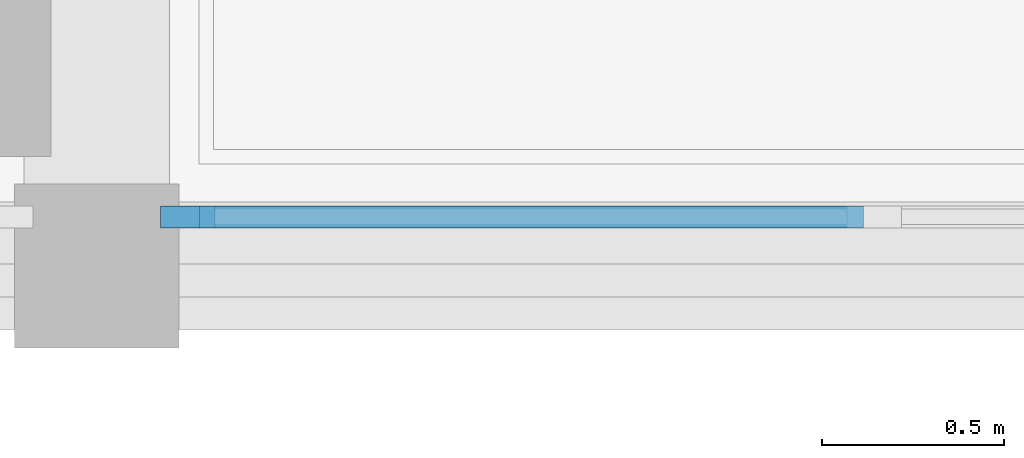
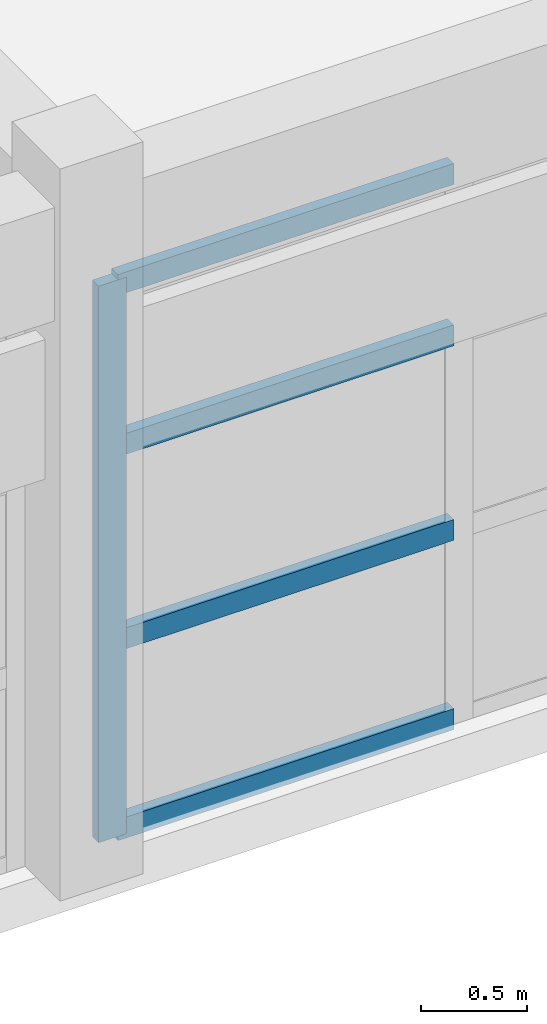
# One storey, part 4 of 21: 5 members, 1 element without a shape of its own.
"""IFC4 building model written with IfcOpenShell, lengths in metres."""

from ifc_helpers import new_model, si_unit, direction, frame, origin, origin_2d, place, context, subcontext, project, spatial, rectangle, extrude, material, layer, layer_set, material_profile, profile_set, type_object, element, aggregate, save


model = new_model("IFC4")

# Units and contexts
model_context = context("Model", 3, precision=1e-05, world=origin(), true_north=direction((0.0, 1.0)))
body_context = subcontext(model_context, "Body", "Model", "MODEL_VIEW")
ifc_project = project(units=[si_unit("LENGTHUNIT", "METRE"), si_unit("AREAUNIT", "SQUARE_METRE"), si_unit("VOLUMEUNIT", "CUBIC_METRE"), si_unit("PLANEANGLEUNIT", "RADIAN"), si_unit("MASSUNIT", "GRAM", prefix="KILO")], contexts=[model_context])

# Site, building, storey
site_placement = place(None, origin())
site = spatial("IfcSite", under=ifc_project, at=site_placement, CompositionType="ELEMENT")
building_placement = place(site_placement, origin())
building = spatial("IfcBuilding", under=site, at=building_placement, Name="Kivolera Central Railway Station", CompositionType="ELEMENT")
storey_placement = place(building_placement, frame((0.0, 0.0, 22.800048828125)))
storey = spatial("IfcBuildingStorey", under=building, at=storey_placement, Name="L05", CompositionType="ELEMENT", Elevation=22.800048828125)

# Curtain wall, members
ifc_material = material(Name="Anodised aluminium", Category="aluminium")
ifc_layer = layer(ifc_material, 0.179931640625, Name="Anodised aluminium")
ifc_layer_set = layer_set([ifc_layer], Name="Anodised aluminium")
curtain_wall_type = type_object("IfcCurtainWallType", Name="CW-SYS-34", PredefinedType="NOTDEFINED", material=ifc_layer_set)
curtain_wall_placement = place(storey_placement, origin())
curtain_wall = element("IfcCurtainWall", 1, at=curtain_wall_placement, inside=storey, type_object=curtain_wall_type, Name="L05 Curtain Wall CW-L05-CRTN-148", PredefinedType="NOTDEFINED")
ifc_material_profile_1 = material_profile(ifc_material, rectangle(XDim=0.06005859375, YDim=0.14990234375, at=origin_2d()), Name="ALU MULL 60x150")
ifc_profile_set_1 = profile_set([ifc_material_profile_1], Name="Anodised aluminium")
member_type_1 = type_object("IfcMemberType", Name="CWM-MUL-2", PredefinedType="MULLION", material=ifc_profile_set_1)
member_1_placement = place(storey_placement, frame((148.25, 114.135009765625, -0.005126953125), z_axis=(0.0, 0.0, 1.0), x_axis=(0.0, -1.0, 0.0)))
member_1 = element("IfcMember", 2, at=member_1_placement, type_object=member_type_1, Name="CW-34 mullion 6", PredefinedType="MULLION", context=body_context, shape_type="SweptSolid", body=[
    extrude(rectangle(XDim=0.06005859375, YDim=0.14990234375, at=origin_2d()), origin(), (0.0, 0.0, 1.0), 3.193115234375),
])
ifc_material_profile_2 = material_profile(ifc_material, rectangle(XDim=0.06005859375, YDim=0.1201171875, at=origin_2d()), Name="ALU TRAN 60x120")
ifc_profile_set_2 = profile_set([ifc_material_profile_2], Name="Anodised aluminium")
member_type_2 = type_object("IfcMemberType", Name="CWM-TRN-2", PredefinedType="USERDEFINED", material=ifc_profile_set_2)
member_2_placement = place(storey_placement, frame((150.10205078125, 114.135009765625, 0.030029296875), z_axis=(-1.0, 0.0, 0.0), x_axis=(0.0, -1.0, 0.0)))
member_2 = element("IfcMember", 3, at=member_2_placement, type_object=member_type_2, Name="CW-34 transom 5.1", ObjectType="TRANSOM", PredefinedType="USERDEFINED", context=body_context, shape_type="SweptSolid", body=[
    extrude(rectangle(XDim=0.06005859375, YDim=0.1201171875, at=origin_2d()), origin(), (0.0, 0.0, 1.0), 1.822021484375),
])
member_3_placement = place(storey_placement, frame((150.10205078125, 114.135009765625, 1.11572265625), z_axis=(-1.0, 0.0, 0.0), x_axis=(0.0, -1.0, 0.0)))
member_3 = element("IfcMember", 4, at=member_3_placement, type_object=member_type_2, Name="CW-34 transom 5.2", ObjectType="TRANSOM", PredefinedType="USERDEFINED", context=body_context, shape_type="SweptSolid", body=[
    extrude(rectangle(XDim=0.06005859375, YDim=0.1201171875, at=origin_2d()), origin(), (0.0, 0.0, 1.0), 1.822021484375),
])
member_4_placement = place(storey_placement, frame((150.10205078125, 114.135009765625, 2.2314453125), z_axis=(-1.0, 0.0, 0.0), x_axis=(0.0, -1.0, 0.0)))
member_4 = element("IfcMember", 5, at=member_4_placement, type_object=member_type_2, Name="CW-34 transom 5.3", ObjectType="TRANSOM", PredefinedType="USERDEFINED", context=body_context, shape_type="SweptSolid", body=[
    extrude(rectangle(XDim=0.06005859375, YDim=0.1201171875, at=origin_2d()), origin(), (0.0, 0.0, 1.0), 1.822021484375),
])
member_5_placement = place(storey_placement, frame((150.10205078125, 114.135009765625, 3.157958984375), z_axis=(-1.0, 0.0, 0.0), x_axis=(0.0, -1.0, 0.0)))
member_5 = element("IfcMember", 6, at=member_5_placement, type_object=member_type_2, Name="CW-34 transom 5.4", ObjectType="TRANSOM", PredefinedType="USERDEFINED", context=body_context, shape_type="SweptSolid", body=[
    extrude(rectangle(XDim=0.06005859375, YDim=0.1201171875, at=origin_2d()), origin(), (0.0, 0.0, 1.0), 1.822021484375),
])
aggregate(curtain_wall, [member_1, member_2, member_3, member_4, member_5])

save(model, "model.ifc")
